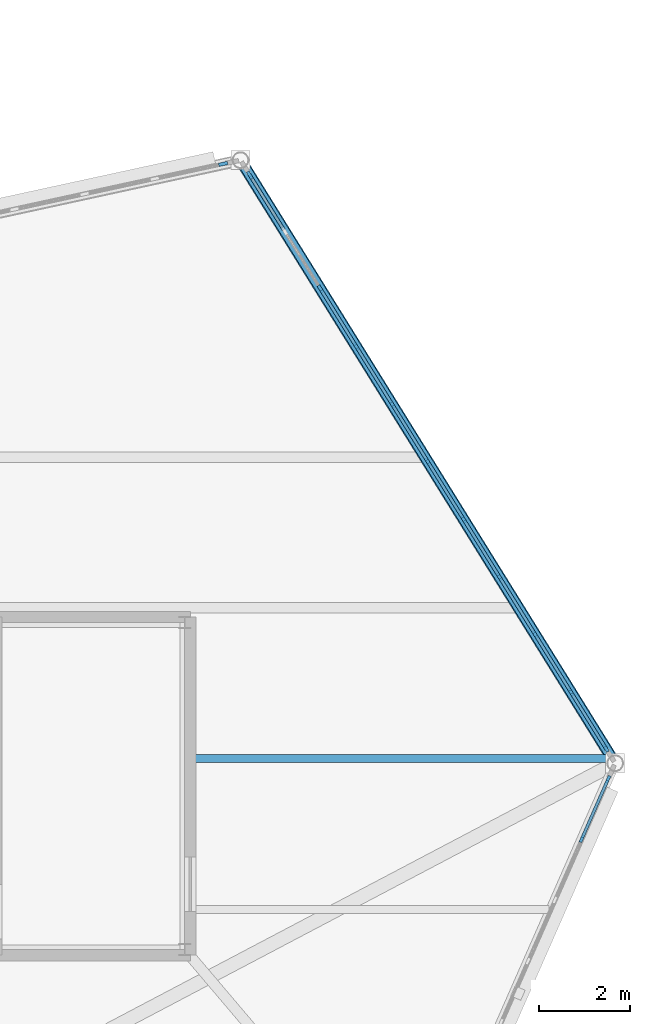
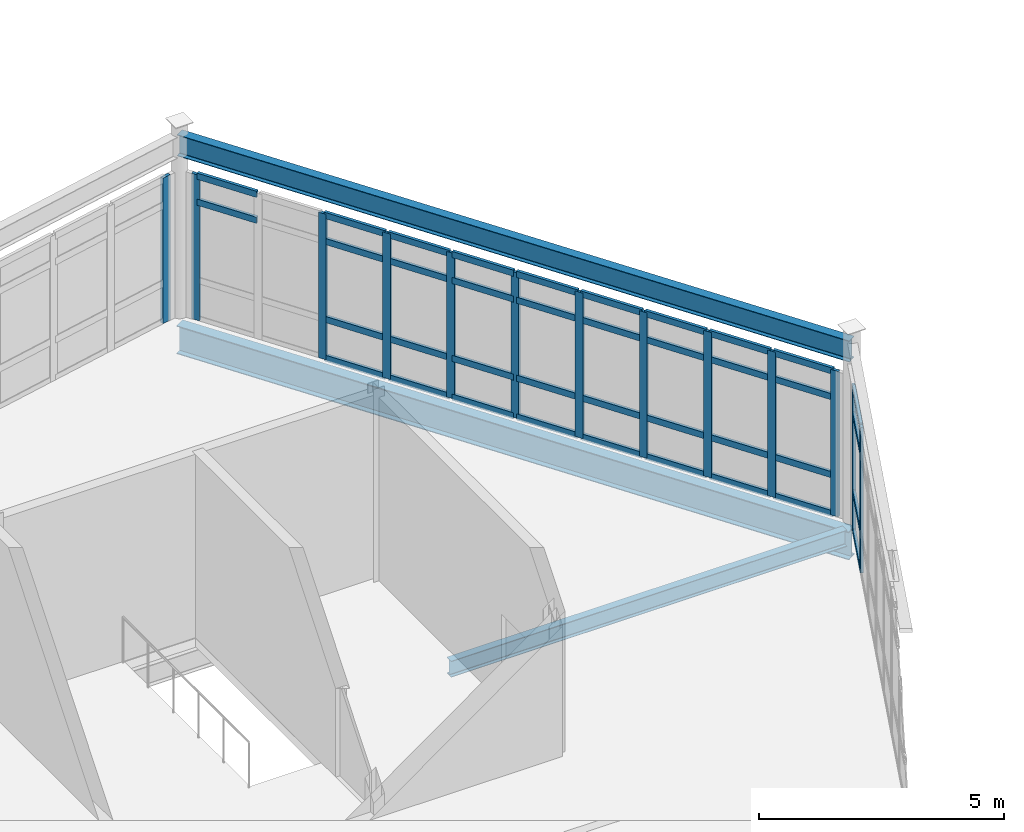
# One storey, part 61 of 114: 51 members, 3 beams, 3 elements without a shape of their own.
"""IFC4 building model written with IfcOpenShell, lengths in metres."""

import ifcopenshell
import ifcopenshell.guid

model = None  # the IFC model being written
_history = None  # IfcOwnerHistory: only IFC2X3 demands one
_inside = {}  # id of a spatial element -> (the spatial element, [elements in it])
_under = {}  # id of a project, library or spatial element -> (it, [spatial elements below it])
_declared = {}  # id of a project -> (the project, [libraries it declares])
_typed = {}  # id of a type object -> (the type object, [elements of that type])
_made_of = {}  # id of a material, layer set ... -> (it, [elements and type objects made of it])


def new_model(schema):
    """Start an empty IFC model of exactly this schema.

    Asked for "IFC4X3", IfcOpenShell would pick the latest addendum, in which some entities
    have other attributes; the version numbers below select the first issue.
    IFC2X3 requires an IfcOwnerHistory on every rooted entity: one is made here for all.
    """
    global model, _history
    if schema == "IFC4X3":
        model = ifcopenshell.file(schema_version=(4, 3, 0, 0))
    else:
        model = ifcopenshell.file(schema=schema)
    _inside.clear()
    _under.clear()
    _declared.clear()
    _typed.clear()
    _made_of.clear()
    _history = None
    if model.schema == "IFC2X3":
        org = make("IfcOrganization", Name="unknown")
        user = make(
            "IfcPersonAndOrganization",
            ThePerson=make("IfcPerson", FamilyName="unknown"),
            TheOrganization=org,
        )
        app = make(
            "IfcApplication",
            ApplicationDeveloper=org,
            Version="unknown",
            ApplicationFullName="unknown",
            ApplicationIdentifier="unknown",
        )
        _history = make(
            "IfcOwnerHistory",
            OwningUser=user,
            OwningApplication=app,
            ChangeAction="ADDED",
            CreationDate=0,
        )
    return model


def make(cls, **values):
    """One entity of the class cls with the attributes given. An attribute that is None is left unset."""
    return model.create_entity(
        cls, **{name: value for name, value in values.items() if value is not None}
    )


def rooted(cls, **values):
    """An entity with a GlobalId (a new one), such as an element, a storey or a relation."""
    return make(cls, GlobalId=ifcopenshell.guid.new(), OwnerHistory=_history, **values)


def si_unit(unit_type, name, prefix=None):
    """IfcSIUnit, for example si_unit("LENGTHUNIT", "METRE", prefix="MILLI")."""
    return make("IfcSIUnit", UnitType=unit_type, Prefix=prefix, Name=name)


def assignment(units):
    """IfcUnitAssignment: the units of a project."""
    return None if units is None else make("IfcUnitAssignment", Units=units)


def point(xyz):
    """IfcCartesianPoint."""
    return None if xyz is None else make("IfcCartesianPoint", Coordinates=xyz)


def direction(xyz):
    """IfcDirection."""
    return None if xyz is None else make("IfcDirection", DirectionRatios=xyz)


def frame(location, z_axis=None, x_axis=None):
    """IfcAxis2Placement3D, a coordinate frame: its origin and axes. An axis left out is left unset."""
    return make(
        "IfcAxis2Placement3D",
        Location=point(location),
        Axis=direction(z_axis),
        RefDirection=direction(x_axis),
    )


def frame_2d(location, x_axis=None):
    """IfcAxis2Placement2D, a coordinate frame in the plane: its origin and x axis."""
    return make(
        "IfcAxis2Placement2D", Location=point(location), RefDirection=direction(x_axis)
    )


def origin():
    """The frame at (0, 0, 0) with its axes left unset."""
    return frame((0.0, 0.0, 0.0))


def origin_2d():
    """The frame at (0, 0) in the plane with its x axis left unset."""
    return frame_2d((0.0, 0.0))


def place(relative_to, where):
    """IfcLocalPlacement: puts the frame where relative to a parent placement (None: the world)."""
    return make(
        "IfcLocalPlacement", PlacementRelTo=relative_to, RelativePlacement=where
    )


def context(
    kind, dimensions, precision=None, world=None, true_north=None, identifier=None
):
    """IfcGeometricRepresentationContext, for example the 3D "Model" context."""
    return make(
        "IfcGeometricRepresentationContext",
        ContextIdentifier=identifier,
        ContextType=kind,
        CoordinateSpaceDimension=dimensions,
        Precision=precision,
        WorldCoordinateSystem=world,
        TrueNorth=true_north,
    )


def subcontext(parent, identifier, kind, view, scale=None):
    """IfcGeometricRepresentationSubContext, for example "Body" below "Model"."""
    return make(
        "IfcGeometricRepresentationSubContext",
        ContextIdentifier=identifier,
        ContextType=kind,
        ParentContext=parent,
        TargetScale=scale,
        TargetView=view,
    )


def project(units=None, contexts=None):
    """IfcProject with its units and contexts."""
    return rooted(
        "IfcProject",
        Name="project",
        RepresentationContexts=contexts,
        UnitsInContext=assignment(units),
    )


def spatial(cls, under=None, at=None, **own):
    """A site, building, storey or space (cls), placed at a placement, below another one or the project."""
    s = rooted(cls, ObjectPlacement=at, **own)
    if under is not None:
        _under.setdefault(under.id(), (under, []))[1].append(s)
    return s


def profile(cls, at=None, kind="AREA", **sizes):
    """A parametric profile (cls). Its sizes go by their IFC names, for example OverallWidth=200.0."""
    return make(cls, ProfileType=kind, Position=at, **sizes)


def rectangle(**sizes):
    """IfcRectangleProfileDef."""
    return profile("IfcRectangleProfileDef", **sizes)


def i_section(**sizes):
    """IfcIShapeProfileDef."""
    return profile("IfcIShapeProfileDef", **sizes)


def extrude(swept, where, along, depth):
    """IfcExtrudedAreaSolid: the profile swept, set in the frame where, extruded along a direction by depth."""
    return make(
        "IfcExtrudedAreaSolid",
        SweptArea=swept,
        Position=where,
        ExtrudedDirection=direction(along),
        Depth=depth,
    )


def shape(context_of_items, identifier, shape_type, items):
    """IfcShapeRepresentation: the items that make up one representation, for example the "Body"."""
    return make(
        "IfcShapeRepresentation",
        ContextOfItems=context_of_items,
        RepresentationIdentifier=identifier,
        RepresentationType=shape_type,
        Items=items,
    )


def material(Name=None, Category=None):
    """IfcMaterial."""
    return make("IfcMaterial", Name=Name, Category=Category)


def material_profile(
    of_material, cross_section, Name=None, Category=None, Priority=None
):
    """IfcMaterialProfile: a cross section and its material."""
    return make(
        "IfcMaterialProfile",
        Name=Name,
        Material=of_material,
        Profile=cross_section,
        Priority=Priority,
        Category=Category,
    )


def profile_set(profiles, Name=None, composite=None):
    """IfcMaterialProfileSet."""
    return make(
        "IfcMaterialProfileSet",
        Name=Name,
        MaterialProfiles=profiles,
        CompositeProfile=composite,
    )


def made_of(thing, what):
    """Note that an element or type object is made of a material, layer set ...; save() writes the relation."""
    if what is not None:
        _made_of.setdefault(what.id(), (what, []))[1].append(thing)
    return thing


def type_object(cls, material=None, **own):
    """A type object (cls), such as IfcWallType, which elements share."""
    return made_of(rooted(cls, **own), material)


def element(
    cls,
    number,
    at=None,
    inside=None,
    cuts=None,
    type_object=None,
    material=None,
    context=None,
    identifier="Body",
    shape_type=None,
    held_by="IfcProductDefinitionShape",
    body=None,
    shapes=None,
    **own,
):
    """One element of the class cls, such as IfcWall. Its Tag is "e" and its number.

    at: its placement. inside: the storey or other place that contains it. cuts: it is an
    opening in that element (IfcRelVoidsElement). A single representation is given by context,
    identifier, shape_type and body (its items); several are given by shapes. held_by: the class
    of the entity that holds the representations. save() writes the other relations.
    """
    e = rooted(cls, Tag="e%d" % number, ObjectPlacement=at, **own)
    if body is not None:
        shapes = [shape(context, identifier, shape_type, body)]
    if shapes is not None:
        e.Representation = make(held_by, Representations=shapes)
    if inside is not None:
        _inside.setdefault(inside.id(), (inside, []))[1].append(e)
    if cuts is not None:
        rooted(
            "IfcRelVoidsElement", RelatingBuildingElement=cuts, RelatedOpeningElement=e
        )
    if type_object is not None:
        _typed.setdefault(type_object.id(), (type_object, []))[1].append(e)
    return made_of(e, material)


def aggregate(whole, parts):
    """IfcRelAggregates: a whole, such as a stair, and the parts it consists of."""
    return rooted("IfcRelAggregates", RelatingObject=whole, RelatedObjects=parts)


def save(model, path):
    """Write the relations noted so far, then the file.

    IfcRelAggregates (storeys below a building ...), IfcRelContainedInSpatialStructure (elements
    in a storey), IfcRelDefinesByType, IfcRelAssociatesMaterial and IfcRelDeclares: one each for
    every whole, place, type object, material and project.
    """
    for whole, parts in _under.values():
        aggregate(whole, parts)
    for where, things in _inside.values():
        rooted(
            "IfcRelContainedInSpatialStructure",
            RelatedElements=things,
            RelatingStructure=where,
        )
    for kind, things in _typed.values():
        rooted("IfcRelDefinesByType", RelatedObjects=things, RelatingType=kind)
    for what, things in _made_of.values():
        rooted("IfcRelAssociatesMaterial", RelatedObjects=things, RelatingMaterial=what)
    for by, libraries in _declared.values():
        rooted("IfcRelDeclares", RelatingContext=by, RelatedDefinitions=libraries)
    model.write(path)


model = new_model("IFC4")

# Units and contexts
model_context = context("Model", 3, precision=1e-05, world=origin(), true_north=direction((0.0, 1.0)))
body_context = subcontext(model_context, "Body", "Model", "MODEL_VIEW")
ifc_project = project(units=[si_unit("LENGTHUNIT", "METRE"), si_unit("AREAUNIT", "SQUARE_METRE"), si_unit("VOLUMEUNIT", "CUBIC_METRE"), si_unit("PLANEANGLEUNIT", "RADIAN"), si_unit("MASSUNIT", "GRAM", prefix="KILO")], contexts=[model_context])

# Site, building, storey
site_placement = place(None, origin())
site = spatial("IfcSite", under=ifc_project, at=site_placement, CompositionType="ELEMENT")
building_placement = place(site_placement, origin())
building = spatial("IfcBuilding", under=site, at=building_placement, Name="Tameran Prism Museum", CompositionType="ELEMENT")
storey_placement = place(building_placement, frame((0.0, 0.0, 10.199951171875)))
storey = spatial("IfcBuildingStorey", under=building, at=storey_placement, Name="L02", CompositionType="ELEMENT", Elevation=10.199951171875)

# Beams
ifc_material_1 = material(Name="Steel Grade 300PLUS (300 MPa)", Category="steel")
ifc_material_profile_1 = material_profile(ifc_material_1, i_section(OverallWidth=0.177978515625, OverallDepth=0.403076171875, WebThickness=0.007568359375, FlangeThickness=0.010986328125, FilletRadius=0.011474609375, at=origin_2d()))
ifc_profile_set_1 = profile_set([ifc_material_profile_1])
beam_type_1 = type_object("IfcBeamType", Name="BM-J410B", PredefinedType="JOIST", material=ifc_profile_set_1)
beam_1_placement = place(storey_placement, frame((156.97998046875, 34.10009765625, -0.42138671875), z_axis=(1.0, 0.0, 0.0), x_axis=(0.0, 1.0, 0.0)))
element("IfcBeam", 1, at=beam_1_placement, inside=storey, type_object=beam_type_1, Name="Floor Beam BM-0937", PredefinedType="JOIST", context=body_context, shape_type="SweptSolid", body=[
    extrude(i_section(OverallWidth=0.177978515625, OverallDepth=0.403076171875, WebThickness=0.007568359375, FlangeThickness=0.010986328125, FilletRadius=0.011474609375, at=origin_2d()), origin(), (0.0, 0.0, 1.0), 9.31103515625),
])
ifc_material_2 = material(Name="Steel Grade 300PLUS (300 MPa)", Category="steel")
ifc_material_profile_2 = material_profile(ifc_material_2, i_section(OverallWidth=0.208984375, OverallDepth=0.528076171875, WebThickness=0.009521484375, FlangeThickness=0.01318359375, FilletRadius=0.013916015625, at=origin_2d()))
ifc_profile_set_2 = profile_set([ifc_material_profile_2])
beam_type_2 = type_object("IfcBeamType", Name="BM-SP530B", PredefinedType="SPANDREL", material=ifc_profile_set_2)
beam_2_placement = place(storey_placement, frame((166.39990234375, 34.0, 4.256103515625), z_axis=(-0.527682342596, 0.849441784534, 0.0), x_axis=(-0.849441784534, -0.527682342596, 0.0)))
element("IfcBeam", 2, at=beam_2_placement, inside=storey, type_object=beam_type_2, Name="Roof Ring Beam RB-0754", PredefinedType="SPANDREL", context=body_context, shape_type="SweptSolid", body=[
    extrude(i_section(OverallWidth=0.208984375, OverallDepth=0.528076171875, WebThickness=0.009521484375, FlangeThickness=0.01318359375, FilletRadius=0.013916015625, at=origin_2d()), origin(), (0.0, 0.0, 1.0), 15.53955078125),
])
ifc_material_3 = material(Name="Steel Grade 350 (350 MPa)", Category="steel")
ifc_material_profile_3 = material_profile(ifc_material_3, i_section(OverallWidth=0.25, OverallDepth=0.699951171875, WebThickness=0.010009765625, FlangeThickness=0.02001953125, at=origin_2d()))
ifc_profile_set_3 = profile_set([ifc_material_profile_3])
beam_type_3 = type_object("IfcBeamType", Name="BM-SP700", PredefinedType="SPANDREL", material=ifc_profile_set_3)
beam_3_placement = place(storey_placement, frame((166.39990234375, 34.0, -0.570068359375), z_axis=(-0.527682342596, 0.849441784534, 0.0), x_axis=(-0.849441784534, -0.527682342596, 0.0)))
element("IfcBeam", 3, at=beam_3_placement, inside=storey, type_object=beam_type_3, Name="Perimeter Spandrel SP-0750", PredefinedType="SPANDREL", context=body_context, shape_type="SweptSolid", body=[
    extrude(i_section(OverallWidth=0.25, OverallDepth=0.699951171875, WebThickness=0.010009765625, FlangeThickness=0.02001953125, at=origin_2d()), origin(), (0.0, 0.0, 1.0), 15.53955078125),
])

# Curtain wall, members
ifc_material_4 = material(Name="Anodised Aluminium 6063-T6 and Cyclone Solar Glass", Category="aluminium")
curtain_wall_type_1 = type_object("IfcCurtainWallType", Name="CW-FAC-1022x362", PredefinedType="USERDEFINED", material=ifc_material_4)
curtain_wall_1_placement = place(storey_placement, origin())
curtain_wall_1 = element("IfcCurtainWall", 4, at=curtain_wall_1_placement, inside=storey, type_object=curtain_wall_type_1, Name="Unitised Curtain Wall CW-127", ObjectType="UNITISED CURTAIN WALL", PredefinedType="USERDEFINED")
ifc_material_5 = material(Name="Anodised Aluminium Alloy 6063-T6", Category="aluminium")
ifc_material_profile_4 = material_profile(ifc_material_5, rectangle(XDim=0.06494140625, YDim=0.159912109375, at=origin_2d()))
ifc_profile_set_4 = profile_set([ifc_material_profile_4])
member_type_1 = type_object("IfcMemberType", Name="CW-MUL-A", PredefinedType="MULLION", material=ifc_profile_set_4)
member_1_placement = place(storey_placement, frame((166.245849609375, 33.650146484375, 0.0), z_axis=(0.0, 0.0, 1.0), x_axis=(0.915329451509, -0.402705842024, 0.0)))
member_1 = element("IfcMember", 5, at=member_1_placement, type_object=member_type_1, Name="CW-127 mullion 1", PredefinedType="MULLION", context=body_context, shape_type="SweptSolid", body=[
    extrude(rectangle(XDim=0.06494140625, YDim=0.159912109375, at=origin_2d()), origin(), (0.0, 0.0, 1.0), 3.6201171875),
])
member_2_placement = place(storey_placement, frame((165.670654296875, 32.3427734375, 0.0), z_axis=(0.0, 0.0, 1.0), x_axis=(0.915329451509, -0.402705842024, 0.0)))
member_2 = element("IfcMember", 6, at=member_2_placement, type_object=member_type_1, Name="CW-127 mullion 2", PredefinedType="MULLION", context=body_context, shape_type="SweptSolid", body=[
    extrude(rectangle(XDim=0.06494140625, YDim=0.159912109375, at=origin_2d()), origin(), (0.0, 0.0, 1.0), 3.6201171875),
])

ifc_material_6 = material(Name="Anodised Aluminium 6063-T6 and Cyclone Solar Glass", Category="aluminium")
curtain_wall_type_2 = type_object("IfcCurtainWallType", Name="CW-FAC-1484x362", PredefinedType="USERDEFINED", material=ifc_material_6)
curtain_wall_2_placement = place(storey_placement, origin())
curtain_wall_2 = element("IfcCurtainWall", 7, at=curtain_wall_2_placement, inside=storey, type_object=curtain_wall_type_2, Name="Unitised Curtain Wall CW-128", ObjectType="UNITISED CURTAIN WALL", PredefinedType="USERDEFINED")
ifc_material_7 = material(Name="Anodised Aluminium Alloy 6063-T6", Category="aluminium")
ifc_material_profile_5 = material_profile(ifc_material_7, rectangle(XDim=0.070068359375, YDim=0.179931640625, at=origin_2d()))
ifc_profile_set_5 = profile_set([ifc_material_profile_5])
member_type_2 = type_object("IfcMemberType", Name="CW-MUL-B", PredefinedType="MULLION", material=ifc_profile_set_5)
member_3_placement = place(storey_placement, frame((158.403564453125, 46.873291015625, 0.0), z_axis=(0.0, 0.0, 1.0), x_axis=(0.849471454595, 0.527634577931, 0.0)))
member_3 = element("IfcMember", 8, at=member_3_placement, type_object=member_type_2, Name="CW-128 mullion 1", PredefinedType="MULLION", context=body_context, shape_type="SweptSolid", body=[
    extrude(rectangle(XDim=0.070068359375, YDim=0.179931640625, at=origin_2d()), origin(), (0.0, 0.0, 1.0), 3.6201171875),
])
member_4_placement = place(storey_placement, frame((159.950927734375, 44.3818359375, 0.0), z_axis=(0.0, 0.0, 1.0), x_axis=(0.849471454595, 0.527634577931, 0.0)))
member_4 = element("IfcMember", 9, at=member_4_placement, type_object=member_type_2, Name="CW-128 mullion 3", PredefinedType="MULLION", context=body_context, shape_type="SweptSolid", body=[
    extrude(rectangle(XDim=0.070068359375, YDim=0.179931640625, at=origin_2d()), origin(), (0.0, 0.0, 1.0), 3.6201171875),
])
member_5_placement = place(storey_placement, frame((160.73388671875, 43.12109375, 0.0), z_axis=(0.0, 0.0, 1.0), x_axis=(0.849471454595, 0.527634577931, 0.0)))
member_5 = element("IfcMember", 10, at=member_5_placement, type_object=member_type_2, Name="CW-128 mullion 4", PredefinedType="MULLION", context=body_context, shape_type="SweptSolid", body=[
    extrude(rectangle(XDim=0.070068359375, YDim=0.179931640625, at=origin_2d()), origin(), (0.0, 0.0, 1.0), 3.6201171875),
])
member_6_placement = place(storey_placement, frame((161.51708984375, 41.860595703125, 0.0), z_axis=(0.0, 0.0, 1.0), x_axis=(0.849471454595, 0.527634577931, 0.0)))
member_6 = element("IfcMember", 11, at=member_6_placement, type_object=member_type_2, Name="CW-128 mullion 5", PredefinedType="MULLION", context=body_context, shape_type="SweptSolid", body=[
    extrude(rectangle(XDim=0.070068359375, YDim=0.179931640625, at=origin_2d()), origin(), (0.0, 0.0, 1.0), 3.6201171875),
])
member_7_placement = place(storey_placement, frame((162.300048828125, 40.60009765625, 0.0), z_axis=(0.0, 0.0, 1.0), x_axis=(0.849471454595, 0.527634577931, 0.0)))
member_7 = element("IfcMember", 12, at=member_7_placement, type_object=member_type_2, Name="CW-128 mullion 6", PredefinedType="MULLION", context=body_context, shape_type="SweptSolid", body=[
    extrude(rectangle(XDim=0.070068359375, YDim=0.179931640625, at=origin_2d()), origin(), (0.0, 0.0, 1.0), 3.6201171875),
])
member_8_placement = place(storey_placement, frame((163.0830078125, 39.33935546875, 0.0), z_axis=(0.0, 0.0, 1.0), x_axis=(0.849471454595, 0.527634577931, 0.0)))
member_8 = element("IfcMember", 13, at=member_8_placement, type_object=member_type_2, Name="CW-128 mullion 7", PredefinedType="MULLION", context=body_context, shape_type="SweptSolid", body=[
    extrude(rectangle(XDim=0.070068359375, YDim=0.179931640625, at=origin_2d()), origin(), (0.0, 0.0, 1.0), 3.6201171875),
])
member_9_placement = place(storey_placement, frame((163.865966796875, 38.078857421875, 0.0), z_axis=(0.0, 0.0, 1.0), x_axis=(0.849471454595, 0.527634577931, 0.0)))
member_9 = element("IfcMember", 14, at=member_9_placement, type_object=member_type_2, Name="CW-128 mullion 8", PredefinedType="MULLION", context=body_context, shape_type="SweptSolid", body=[
    extrude(rectangle(XDim=0.070068359375, YDim=0.179931640625, at=origin_2d()), origin(), (0.0, 0.0, 1.0), 3.6201171875),
])
member_10_placement = place(storey_placement, frame((164.64892578125, 36.818115234375, 0.0), z_axis=(0.0, 0.0, 1.0), x_axis=(0.849471454595, 0.527634577931, 0.0)))
member_10 = element("IfcMember", 15, at=member_10_placement, type_object=member_type_2, Name="CW-128 mullion 9", PredefinedType="MULLION", context=body_context, shape_type="SweptSolid", body=[
    extrude(rectangle(XDim=0.070068359375, YDim=0.179931640625, at=origin_2d()), origin(), (0.0, 0.0, 1.0), 3.6201171875),
])
member_11_placement = place(storey_placement, frame((165.431884765625, 35.5576171875, 0.0), z_axis=(0.0, 0.0, 1.0), x_axis=(0.849471454595, 0.527634577931, 0.0)))
member_11 = element("IfcMember", 16, at=member_11_placement, type_object=member_type_2, Name="CW-128 mullion 10", PredefinedType="MULLION", context=body_context, shape_type="SweptSolid", body=[
    extrude(rectangle(XDim=0.070068359375, YDim=0.179931640625, at=origin_2d()), origin(), (0.0, 0.0, 1.0), 3.6201171875),
])
member_12_placement = place(storey_placement, frame((166.196533203125, 34.32666015625, 0.0), z_axis=(0.0, 0.0, 1.0), x_axis=(0.849471454595, 0.527634577931, 0.0)))
member_12 = element("IfcMember", 17, at=member_12_placement, type_object=member_type_2, Name="CW-128 mullion 11", PredefinedType="MULLION", context=body_context, shape_type="SweptSolid", body=[
    extrude(rectangle(XDim=0.070068359375, YDim=0.179931640625, at=origin_2d()), origin(), (0.0, 0.0, 1.0), 3.6201171875),
])

# Curtain wall, member
ifc_material_8 = material(Name="Anodised Aluminium 6063-T6 and Cyclone Solar Glass", Category="aluminium")
curtain_wall_type_3 = type_object("IfcCurtainWallType", Name="CW-FAC-2042x362", PredefinedType="USERDEFINED", material=ifc_material_8)
curtain_wall_3_placement = place(storey_placement, origin())
curtain_wall_3 = element("IfcCurtainWall", 18, at=curtain_wall_3_placement, inside=storey, type_object=curtain_wall_type_3, Name="Unitised Curtain Wall CW-129", ObjectType="UNITISED CURTAIN WALL", PredefinedType="USERDEFINED")
ifc_material_9 = material(Name="Anodised Aluminium Alloy 6063-T6", Category="aluminium")
ifc_material_profile_6 = material_profile(ifc_material_9, rectangle(XDim=0.074951171875, YDim=0.199951171875, at=origin_2d()))
ifc_profile_set_6 = profile_set([ifc_material_profile_6])
member_type_3 = type_object("IfcMemberType", Name="CW-MUL-C", PredefinedType="MULLION", material=ifc_profile_set_6)
member_13_placement = place(storey_placement, frame((157.8212890625, 47.117919921875, 0.0), z_axis=(0.0, 0.0, 1.0), x_axis=(-0.212454037801, 0.977171060676, 0.0)))
member_13 = element("IfcMember", 19, at=member_13_placement, type_object=member_type_3, Name="CW-129 mullion 14", PredefinedType="MULLION", context=body_context, shape_type="SweptSolid", body=[
    extrude(rectangle(XDim=0.074951171875, YDim=0.199951171875, at=origin_2d()), origin(), (0.0, 0.0, 1.0), 3.6201171875),
])
aggregate(curtain_wall_3, [member_13])

# Member
ifc_material_10 = material(Name="Anodised Aluminium Alloy 6063-T6", Category="aluminium")
ifc_material_profile_7 = material_profile(ifc_material_10, rectangle(XDim=0.06494140625, YDim=0.139892578125, at=origin_2d()))
ifc_profile_set_7 = profile_set([ifc_material_profile_7])
member_type_4 = type_object("IfcMemberType", Name="CW-TRN-A", PredefinedType="USERDEFINED", material=ifc_profile_set_7)
member_14_placement = place(storey_placement, frame((166.23291015625, 33.62060546875, 0.032470703125), z_axis=(-0.402696610123, -0.915333513095, 0.0), x_axis=(0.915333513095, -0.402696610123, 0.0)))
member_14 = element("IfcMember", 20, at=member_14_placement, type_object=member_type_4, Name="CW-127 transom 1.1", ObjectType="TRANSOM", PredefinedType="USERDEFINED", context=body_context, shape_type="SweptSolid", body=[
    extrude(rectangle(XDim=0.06494140625, YDim=0.139892578125, at=origin_2d()), origin(), (0.0, 0.0, 1.0), 1.363525390625),
])

member_15_placement = place(storey_placement, frame((166.23291015625, 33.62060546875, 1.0), z_axis=(-0.402696610123, -0.915333513095, 0.0), x_axis=(0.915333513095, -0.402696610123, 0.0)))
member_15 = element("IfcMember", 21, at=member_15_placement, type_object=member_type_4, Name="CW-127 transom 1.2", ObjectType="TRANSOM", PredefinedType="USERDEFINED", context=body_context, shape_type="SweptSolid", body=[
    extrude(rectangle(XDim=0.06494140625, YDim=0.139892578125, at=origin_2d()), origin(), (0.0, 0.0, 1.0), 1.363525390625),
])

member_16_placement = place(storey_placement, frame((166.23291015625, 33.62060546875, 2.93994140625), z_axis=(-0.402696610123, -0.915333513095, 0.0), x_axis=(0.915333513095, -0.402696610123, 0.0)))
member_16 = element("IfcMember", 22, at=member_16_placement, type_object=member_type_4, Name="CW-127 transom 1.3", ObjectType="TRANSOM", PredefinedType="USERDEFINED", context=body_context, shape_type="SweptSolid", body=[
    extrude(rectangle(XDim=0.06494140625, YDim=0.139892578125, at=origin_2d()), origin(), (0.0, 0.0, 1.0), 1.363525390625),
])

member_17_placement = place(storey_placement, frame((166.23291015625, 33.62060546875, 3.587646484375), z_axis=(-0.402696610123, -0.915333513095, 0.0), x_axis=(0.915333513095, -0.402696610123, 0.0)))
member_17 = element("IfcMember", 23, at=member_17_placement, type_object=member_type_4, Name="CW-127 transom 1.4", ObjectType="TRANSOM", PredefinedType="USERDEFINED", context=body_context, shape_type="SweptSolid", body=[
    extrude(rectangle(XDim=0.06494140625, YDim=0.139892578125, at=origin_2d()), origin(), (0.0, 0.0, 1.0), 1.363525390625),
])

aggregate(curtain_wall_1, [member_1, member_2, member_14, member_15, member_16, member_17])

ifc_material_11 = material(Name="Anodised Aluminium Alloy 6063-T6", Category="aluminium")
ifc_material_profile_8 = material_profile(ifc_material_11, rectangle(XDim=0.070068359375, YDim=0.155029296875, at=origin_2d()))
ifc_profile_set_8 = profile_set([ifc_material_profile_8])
member_type_5 = type_object("IfcMemberType", Name="CW-TRN-B", PredefinedType="USERDEFINED", material=ifc_profile_set_8)
member_18_placement = place(storey_placement, frame((158.421875, 46.843505859375, 2.93994140625), z_axis=(0.527609646011, -0.849486940121, 0.0), x_axis=(0.849486940121, 0.527609646011, 0.0)))
member_18 = element("IfcMember", 24, at=member_18_placement, type_object=member_type_5, Name="CW-128 transom 1.3", ObjectType="TRANSOM", PredefinedType="USERDEFINED", context=body_context, shape_type="SweptSolid", body=[
    extrude(rectangle(XDim=0.070068359375, YDim=0.155029296875, at=origin_2d()), origin(), (0.0, 0.0, 1.0), 1.37890625),
])

member_19_placement = place(storey_placement, frame((158.421875, 46.843505859375, 3.5849609375), z_axis=(0.527609646011, -0.849486940121, 0.0), x_axis=(0.849486940121, 0.527609646011, 0.0)))
member_19 = element("IfcMember", 25, at=member_19_placement, type_object=member_type_5, Name="CW-128 transom 1.4", ObjectType="TRANSOM", PredefinedType="USERDEFINED", context=body_context, shape_type="SweptSolid", body=[
    extrude(rectangle(XDim=0.070068359375, YDim=0.155029296875, at=origin_2d()), origin(), (0.0, 0.0, 1.0), 1.37890625),
])

member_20_placement = place(storey_placement, frame((159.969482421875, 44.35205078125, 0.03515625), z_axis=(0.527637898727, -0.84946939193, 0.0), x_axis=(0.84946939193, 0.527637898727, 0.0)))
member_20 = element("IfcMember", 26, at=member_20_placement, type_object=member_type_5, Name="CW-128 transom 3.1", ObjectType="TRANSOM", PredefinedType="USERDEFINED", context=body_context, shape_type="SweptSolid", body=[
    extrude(rectangle(XDim=0.070068359375, YDim=0.155029296875, at=origin_2d()), origin(), (0.0, 0.0, 1.0), 1.4140625),
])

member_21_placement = place(storey_placement, frame((159.969482421875, 44.35205078125, 1.0), z_axis=(0.527637898727, -0.84946939193, 0.0), x_axis=(0.84946939193, 0.527637898727, 0.0)))
member_21 = element("IfcMember", 27, at=member_21_placement, type_object=member_type_5, Name="CW-128 transom 3.2", ObjectType="TRANSOM", PredefinedType="USERDEFINED", context=body_context, shape_type="SweptSolid", body=[
    extrude(rectangle(XDim=0.070068359375, YDim=0.155029296875, at=origin_2d()), origin(), (0.0, 0.0, 1.0), 1.4140625),
])

member_22_placement = place(storey_placement, frame((159.969482421875, 44.35205078125, 2.93994140625), z_axis=(0.527637898727, -0.84946939193, 0.0), x_axis=(0.84946939193, 0.527637898727, 0.0)))
member_22 = element("IfcMember", 28, at=member_22_placement, type_object=member_type_5, Name="CW-128 transom 3.3", ObjectType="TRANSOM", PredefinedType="USERDEFINED", context=body_context, shape_type="SweptSolid", body=[
    extrude(rectangle(XDim=0.070068359375, YDim=0.155029296875, at=origin_2d()), origin(), (0.0, 0.0, 1.0), 1.4140625),
])

member_23_placement = place(storey_placement, frame((159.969482421875, 44.35205078125, 3.5849609375), z_axis=(0.527637898727, -0.84946939193, 0.0), x_axis=(0.84946939193, 0.527637898727, 0.0)))
member_23 = element("IfcMember", 29, at=member_23_placement, type_object=member_type_5, Name="CW-128 transom 3.4", ObjectType="TRANSOM", PredefinedType="USERDEFINED", context=body_context, shape_type="SweptSolid", body=[
    extrude(rectangle(XDim=0.070068359375, YDim=0.155029296875, at=origin_2d()), origin(), (0.0, 0.0, 1.0), 1.4140625),
])

member_24_placement = place(storey_placement, frame((160.75244140625, 43.091552734375, 0.03515625), z_axis=(0.527637898727, -0.84946939193, 0.0), x_axis=(0.84946939193, 0.527637898727, 0.0)))
member_24 = element("IfcMember", 30, at=member_24_placement, type_object=member_type_5, Name="CW-128 transom 4.1", ObjectType="TRANSOM", PredefinedType="USERDEFINED", context=body_context, shape_type="SweptSolid", body=[
    extrude(rectangle(XDim=0.070068359375, YDim=0.155029296875, at=origin_2d()), origin(), (0.0, 0.0, 1.0), 1.4140625),
])

member_25_placement = place(storey_placement, frame((160.75244140625, 43.091552734375, 1.0), z_axis=(0.527637898727, -0.84946939193, 0.0), x_axis=(0.84946939193, 0.527637898727, 0.0)))
member_25 = element("IfcMember", 31, at=member_25_placement, type_object=member_type_5, Name="CW-128 transom 4.2", ObjectType="TRANSOM", PredefinedType="USERDEFINED", context=body_context, shape_type="SweptSolid", body=[
    extrude(rectangle(XDim=0.070068359375, YDim=0.155029296875, at=origin_2d()), origin(), (0.0, 0.0, 1.0), 1.4140625),
])

member_26_placement = place(storey_placement, frame((160.75244140625, 43.091552734375, 2.93994140625), z_axis=(0.527637898727, -0.84946939193, 0.0), x_axis=(0.84946939193, 0.527637898727, 0.0)))
member_26 = element("IfcMember", 32, at=member_26_placement, type_object=member_type_5, Name="CW-128 transom 4.3", ObjectType="TRANSOM", PredefinedType="USERDEFINED", context=body_context, shape_type="SweptSolid", body=[
    extrude(rectangle(XDim=0.070068359375, YDim=0.155029296875, at=origin_2d()), origin(), (0.0, 0.0, 1.0), 1.4140625),
])

member_27_placement = place(storey_placement, frame((160.75244140625, 43.091552734375, 3.5849609375), z_axis=(0.527637898727, -0.84946939193, 0.0), x_axis=(0.84946939193, 0.527637898727, 0.0)))
member_27 = element("IfcMember", 33, at=member_27_placement, type_object=member_type_5, Name="CW-128 transom 4.4", ObjectType="TRANSOM", PredefinedType="USERDEFINED", context=body_context, shape_type="SweptSolid", body=[
    extrude(rectangle(XDim=0.070068359375, YDim=0.155029296875, at=origin_2d()), origin(), (0.0, 0.0, 1.0), 1.4140625),
])

member_28_placement = place(storey_placement, frame((161.535400390625, 41.830810546875, 0.03515625), z_axis=(0.527637898727, -0.84946939193, 0.0), x_axis=(0.84946939193, 0.527637898727, 0.0)))
member_28 = element("IfcMember", 34, at=member_28_placement, type_object=member_type_5, Name="CW-128 transom 5.1", ObjectType="TRANSOM", PredefinedType="USERDEFINED", context=body_context, shape_type="SweptSolid", body=[
    extrude(rectangle(XDim=0.070068359375, YDim=0.155029296875, at=origin_2d()), origin(), (0.0, 0.0, 1.0), 1.4140625),
])

member_29_placement = place(storey_placement, frame((161.535400390625, 41.830810546875, 1.0), z_axis=(0.527637898727, -0.84946939193, 0.0), x_axis=(0.84946939193, 0.527637898727, 0.0)))
member_29 = element("IfcMember", 35, at=member_29_placement, type_object=member_type_5, Name="CW-128 transom 5.2", ObjectType="TRANSOM", PredefinedType="USERDEFINED", context=body_context, shape_type="SweptSolid", body=[
    extrude(rectangle(XDim=0.070068359375, YDim=0.155029296875, at=origin_2d()), origin(), (0.0, 0.0, 1.0), 1.4140625),
])

member_30_placement = place(storey_placement, frame((161.535400390625, 41.830810546875, 2.93994140625), z_axis=(0.527637898727, -0.84946939193, 0.0), x_axis=(0.84946939193, 0.527637898727, 0.0)))
member_30 = element("IfcMember", 36, at=member_30_placement, type_object=member_type_5, Name="CW-128 transom 5.3", ObjectType="TRANSOM", PredefinedType="USERDEFINED", context=body_context, shape_type="SweptSolid", body=[
    extrude(rectangle(XDim=0.070068359375, YDim=0.155029296875, at=origin_2d()), origin(), (0.0, 0.0, 1.0), 1.4140625),
])

member_31_placement = place(storey_placement, frame((161.535400390625, 41.830810546875, 3.5849609375), z_axis=(0.527637898727, -0.84946939193, 0.0), x_axis=(0.84946939193, 0.527637898727, 0.0)))
member_31 = element("IfcMember", 37, at=member_31_placement, type_object=member_type_5, Name="CW-128 transom 5.4", ObjectType="TRANSOM", PredefinedType="USERDEFINED", context=body_context, shape_type="SweptSolid", body=[
    extrude(rectangle(XDim=0.070068359375, YDim=0.155029296875, at=origin_2d()), origin(), (0.0, 0.0, 1.0), 1.4140625),
])

member_32_placement = place(storey_placement, frame((162.318359375, 40.5703125, 0.03515625), z_axis=(0.527637898727, -0.84946939193, 0.0), x_axis=(0.84946939193, 0.527637898727, 0.0)))
member_32 = element("IfcMember", 38, at=member_32_placement, type_object=member_type_5, Name="CW-128 transom 6.1", ObjectType="TRANSOM", PredefinedType="USERDEFINED", context=body_context, shape_type="SweptSolid", body=[
    extrude(rectangle(XDim=0.070068359375, YDim=0.155029296875, at=origin_2d()), origin(), (0.0, 0.0, 1.0), 1.4140625),
])

member_33_placement = place(storey_placement, frame((162.318359375, 40.5703125, 1.0), z_axis=(0.527637898727, -0.84946939193, 0.0), x_axis=(0.84946939193, 0.527637898727, 0.0)))
member_33 = element("IfcMember", 39, at=member_33_placement, type_object=member_type_5, Name="CW-128 transom 6.2", ObjectType="TRANSOM", PredefinedType="USERDEFINED", context=body_context, shape_type="SweptSolid", body=[
    extrude(rectangle(XDim=0.070068359375, YDim=0.155029296875, at=origin_2d()), origin(), (0.0, 0.0, 1.0), 1.4140625),
])

member_34_placement = place(storey_placement, frame((162.318359375, 40.5703125, 2.93994140625), z_axis=(0.527637898727, -0.84946939193, 0.0), x_axis=(0.84946939193, 0.527637898727, 0.0)))
member_34 = element("IfcMember", 40, at=member_34_placement, type_object=member_type_5, Name="CW-128 transom 6.3", ObjectType="TRANSOM", PredefinedType="USERDEFINED", context=body_context, shape_type="SweptSolid", body=[
    extrude(rectangle(XDim=0.070068359375, YDim=0.155029296875, at=origin_2d()), origin(), (0.0, 0.0, 1.0), 1.4140625),
])

member_35_placement = place(storey_placement, frame((162.318359375, 40.5703125, 3.5849609375), z_axis=(0.527637898727, -0.84946939193, 0.0), x_axis=(0.84946939193, 0.527637898727, 0.0)))
member_35 = element("IfcMember", 41, at=member_35_placement, type_object=member_type_5, Name="CW-128 transom 6.4", ObjectType="TRANSOM", PredefinedType="USERDEFINED", context=body_context, shape_type="SweptSolid", body=[
    extrude(rectangle(XDim=0.070068359375, YDim=0.155029296875, at=origin_2d()), origin(), (0.0, 0.0, 1.0), 1.4140625),
])

member_36_placement = place(storey_placement, frame((163.1015625, 39.3095703125, 0.03515625), z_axis=(0.527590684849, -0.849498716456, 0.0), x_axis=(0.849498716456, 0.527590684849, 0.0)))
member_36 = element("IfcMember", 42, at=member_36_placement, type_object=member_type_5, Name="CW-128 transom 7.1", ObjectType="TRANSOM", PredefinedType="USERDEFINED", context=body_context, shape_type="SweptSolid", body=[
    extrude(rectangle(XDim=0.070068359375, YDim=0.155029296875, at=origin_2d()), origin(), (0.0, 0.0, 1.0), 1.41357421875),
])

member_37_placement = place(storey_placement, frame((163.1015625, 39.3095703125, 1.0), z_axis=(0.527590684849, -0.849498716456, 0.0), x_axis=(0.849498716456, 0.527590684849, 0.0)))
member_37 = element("IfcMember", 43, at=member_37_placement, type_object=member_type_5, Name="CW-128 transom 7.2", ObjectType="TRANSOM", PredefinedType="USERDEFINED", context=body_context, shape_type="SweptSolid", body=[
    extrude(rectangle(XDim=0.070068359375, YDim=0.155029296875, at=origin_2d()), origin(), (0.0, 0.0, 1.0), 1.41357421875),
])

member_38_placement = place(storey_placement, frame((163.1015625, 39.3095703125, 2.93994140625), z_axis=(0.527590684849, -0.849498716456, 0.0), x_axis=(0.849498716456, 0.527590684849, 0.0)))
member_38 = element("IfcMember", 44, at=member_38_placement, type_object=member_type_5, Name="CW-128 transom 7.3", ObjectType="TRANSOM", PredefinedType="USERDEFINED", context=body_context, shape_type="SweptSolid", body=[
    extrude(rectangle(XDim=0.070068359375, YDim=0.155029296875, at=origin_2d()), origin(), (0.0, 0.0, 1.0), 1.41357421875),
])

member_39_placement = place(storey_placement, frame((163.1015625, 39.3095703125, 3.5849609375), z_axis=(0.527590684849, -0.849498716456, 0.0), x_axis=(0.849498716456, 0.527590684849, 0.0)))
member_39 = element("IfcMember", 45, at=member_39_placement, type_object=member_type_5, Name="CW-128 transom 7.4", ObjectType="TRANSOM", PredefinedType="USERDEFINED", context=body_context, shape_type="SweptSolid", body=[
    extrude(rectangle(XDim=0.070068359375, YDim=0.155029296875, at=origin_2d()), origin(), (0.0, 0.0, 1.0), 1.41357421875),
])

member_40_placement = place(storey_placement, frame((163.884521484375, 38.049072265625, 0.03515625), z_axis=(0.527637898727, -0.84946939193, 0.0), x_axis=(0.84946939193, 0.527637898727, 0.0)))
member_40 = element("IfcMember", 46, at=member_40_placement, type_object=member_type_5, Name="CW-128 transom 8.1", ObjectType="TRANSOM", PredefinedType="USERDEFINED", context=body_context, shape_type="SweptSolid", body=[
    extrude(rectangle(XDim=0.070068359375, YDim=0.155029296875, at=origin_2d()), origin(), (0.0, 0.0, 1.0), 1.4140625),
])

member_41_placement = place(storey_placement, frame((163.884521484375, 38.049072265625, 1.0), z_axis=(0.527637898727, -0.84946939193, 0.0), x_axis=(0.84946939193, 0.527637898727, 0.0)))
member_41 = element("IfcMember", 47, at=member_41_placement, type_object=member_type_5, Name="CW-128 transom 8.2", ObjectType="TRANSOM", PredefinedType="USERDEFINED", context=body_context, shape_type="SweptSolid", body=[
    extrude(rectangle(XDim=0.070068359375, YDim=0.155029296875, at=origin_2d()), origin(), (0.0, 0.0, 1.0), 1.4140625),
])

member_42_placement = place(storey_placement, frame((163.884521484375, 38.049072265625, 2.93994140625), z_axis=(0.527637898727, -0.84946939193, 0.0), x_axis=(0.84946939193, 0.527637898727, 0.0)))
member_42 = element("IfcMember", 48, at=member_42_placement, type_object=member_type_5, Name="CW-128 transom 8.3", ObjectType="TRANSOM", PredefinedType="USERDEFINED", context=body_context, shape_type="SweptSolid", body=[
    extrude(rectangle(XDim=0.070068359375, YDim=0.155029296875, at=origin_2d()), origin(), (0.0, 0.0, 1.0), 1.4140625),
])

member_43_placement = place(storey_placement, frame((163.884521484375, 38.049072265625, 3.5849609375), z_axis=(0.527637898727, -0.84946939193, 0.0), x_axis=(0.84946939193, 0.527637898727, 0.0)))
member_43 = element("IfcMember", 49, at=member_43_placement, type_object=member_type_5, Name="CW-128 transom 8.4", ObjectType="TRANSOM", PredefinedType="USERDEFINED", context=body_context, shape_type="SweptSolid", body=[
    extrude(rectangle(XDim=0.070068359375, YDim=0.155029296875, at=origin_2d()), origin(), (0.0, 0.0, 1.0), 1.4140625),
])

member_44_placement = place(storey_placement, frame((164.66748046875, 36.78857421875, 0.03515625), z_axis=(0.527637898727, -0.84946939193, 0.0), x_axis=(0.84946939193, 0.527637898727, 0.0)))
member_44 = element("IfcMember", 50, at=member_44_placement, type_object=member_type_5, Name="CW-128 transom 9.1", ObjectType="TRANSOM", PredefinedType="USERDEFINED", context=body_context, shape_type="SweptSolid", body=[
    extrude(rectangle(XDim=0.070068359375, YDim=0.155029296875, at=origin_2d()), origin(), (0.0, 0.0, 1.0), 1.4140625),
])

member_45_placement = place(storey_placement, frame((164.66748046875, 36.78857421875, 1.0), z_axis=(0.527637898727, -0.84946939193, 0.0), x_axis=(0.84946939193, 0.527637898727, 0.0)))
member_45 = element("IfcMember", 51, at=member_45_placement, type_object=member_type_5, Name="CW-128 transom 9.2", ObjectType="TRANSOM", PredefinedType="USERDEFINED", context=body_context, shape_type="SweptSolid", body=[
    extrude(rectangle(XDim=0.070068359375, YDim=0.155029296875, at=origin_2d()), origin(), (0.0, 0.0, 1.0), 1.4140625),
])

member_46_placement = place(storey_placement, frame((164.66748046875, 36.78857421875, 2.93994140625), z_axis=(0.527637898727, -0.84946939193, 0.0), x_axis=(0.84946939193, 0.527637898727, 0.0)))
member_46 = element("IfcMember", 52, at=member_46_placement, type_object=member_type_5, Name="CW-128 transom 9.3", ObjectType="TRANSOM", PredefinedType="USERDEFINED", context=body_context, shape_type="SweptSolid", body=[
    extrude(rectangle(XDim=0.070068359375, YDim=0.155029296875, at=origin_2d()), origin(), (0.0, 0.0, 1.0), 1.4140625),
])

member_47_placement = place(storey_placement, frame((164.66748046875, 36.78857421875, 3.5849609375), z_axis=(0.527637898727, -0.84946939193, 0.0), x_axis=(0.84946939193, 0.527637898727, 0.0)))
member_47 = element("IfcMember", 53, at=member_47_placement, type_object=member_type_5, Name="CW-128 transom 9.4", ObjectType="TRANSOM", PredefinedType="USERDEFINED", context=body_context, shape_type="SweptSolid", body=[
    extrude(rectangle(XDim=0.070068359375, YDim=0.155029296875, at=origin_2d()), origin(), (0.0, 0.0, 1.0), 1.4140625),
])

member_48_placement = place(storey_placement, frame((165.450439453125, 35.52783203125, 0.03515625), z_axis=(0.527609646011, -0.849486940121, 0.0), x_axis=(0.849486940121, 0.527609646011, 0.0)))
member_48 = element("IfcMember", 54, at=member_48_placement, type_object=member_type_5, Name="CW-128 transom 10.1", ObjectType="TRANSOM", PredefinedType="USERDEFINED", context=body_context, shape_type="SweptSolid", body=[
    extrude(rectangle(XDim=0.070068359375, YDim=0.155029296875, at=origin_2d()), origin(), (0.0, 0.0, 1.0), 1.37890625),
])

member_49_placement = place(storey_placement, frame((165.450439453125, 35.52783203125, 1.0), z_axis=(0.527609646011, -0.849486940121, 0.0), x_axis=(0.849486940121, 0.527609646011, 0.0)))
member_49 = element("IfcMember", 55, at=member_49_placement, type_object=member_type_5, Name="CW-128 transom 10.2", ObjectType="TRANSOM", PredefinedType="USERDEFINED", context=body_context, shape_type="SweptSolid", body=[
    extrude(rectangle(XDim=0.070068359375, YDim=0.155029296875, at=origin_2d()), origin(), (0.0, 0.0, 1.0), 1.37890625),
])

member_50_placement = place(storey_placement, frame((165.450439453125, 35.52783203125, 2.93994140625), z_axis=(0.527609646011, -0.849486940121, 0.0), x_axis=(0.849486940121, 0.527609646011, 0.0)))
member_50 = element("IfcMember", 56, at=member_50_placement, type_object=member_type_5, Name="CW-128 transom 10.3", ObjectType="TRANSOM", PredefinedType="USERDEFINED", context=body_context, shape_type="SweptSolid", body=[
    extrude(rectangle(XDim=0.070068359375, YDim=0.155029296875, at=origin_2d()), origin(), (0.0, 0.0, 1.0), 1.37890625),
])

member_51_placement = place(storey_placement, frame((165.450439453125, 35.52783203125, 3.5849609375), z_axis=(0.527609646011, -0.849486940121, 0.0), x_axis=(0.849486940121, 0.527609646011, 0.0)))
member_51 = element("IfcMember", 57, at=member_51_placement, type_object=member_type_5, Name="CW-128 transom 10.4", ObjectType="TRANSOM", PredefinedType="USERDEFINED", context=body_context, shape_type="SweptSolid", body=[
    extrude(rectangle(XDim=0.070068359375, YDim=0.155029296875, at=origin_2d()), origin(), (0.0, 0.0, 1.0), 1.37890625),
])

aggregate(curtain_wall_2, [member_3, member_4, member_5, member_6, member_7, member_8, member_9, member_10, member_11, member_12, member_18, member_19, member_20, member_21, member_22, member_23, member_24, member_25, member_26, member_27, member_28, member_29, member_30, member_31, member_32, member_33, member_34, member_35, member_36, member_37, member_38, member_39, member_40, member_41, member_42, member_43, member_44, member_45, member_46, member_47, member_48, member_49, member_50, member_51])

save(model, "model.ifc")
